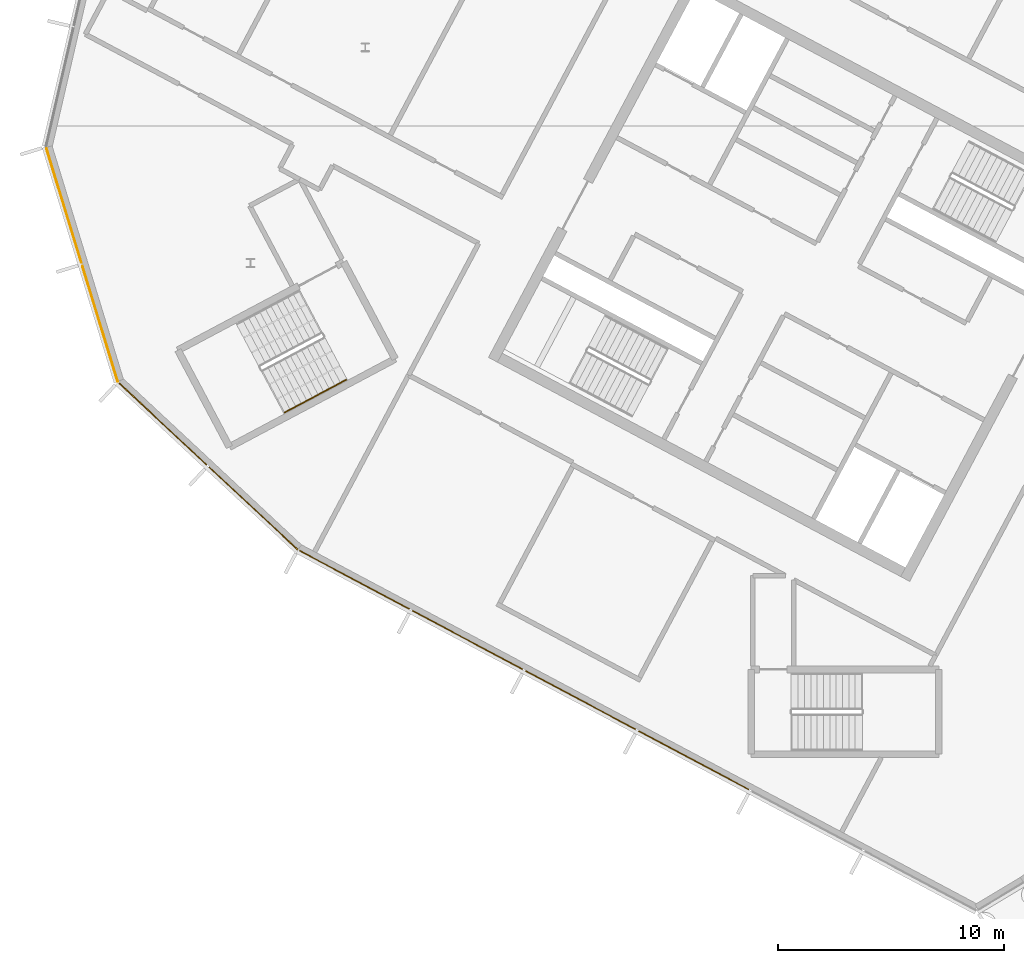
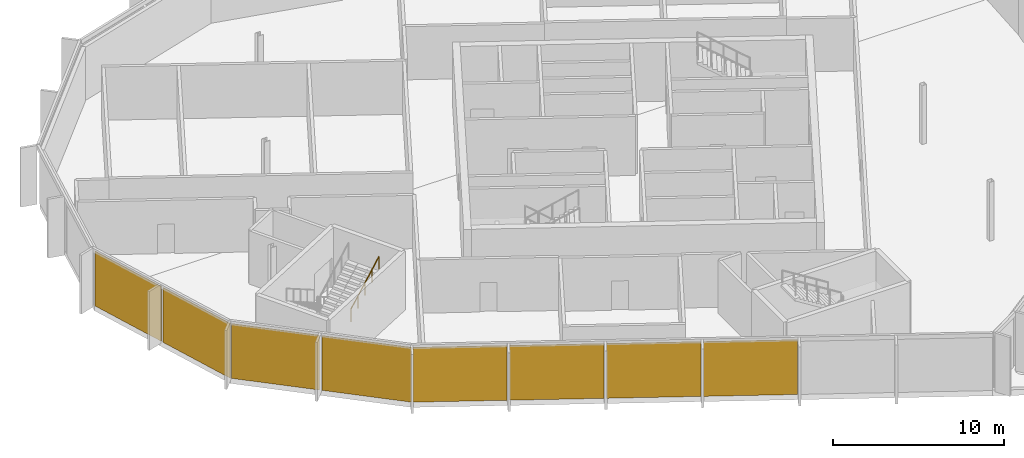
# One storey, part 10 of 16: 8 coverings, 1 railing, 3 elements without a shape of their own.
"""IFC4 building model written with IfcOpenShell, lengths in metres."""

from ifc_helpers import new_model, si_unit, direction, frame, origin, origin_2d, place, context, subcontext, project, spatial, polyline, rectangle, outline, extrude, material, layer, layer_set, type_object, element, aggregate, save


model = new_model("IFC4")

# Units and contexts
model_context = context("Model", 3, precision=1e-05, world=origin(), true_north=direction((0.0, 1.0)))
body_context = subcontext(model_context, "Body", "Model", "MODEL_VIEW")
ifc_project = project(units=[si_unit("LENGTHUNIT", "METRE"), si_unit("AREAUNIT", "SQUARE_METRE"), si_unit("VOLUMEUNIT", "CUBIC_METRE"), si_unit("PLANEANGLEUNIT", "RADIAN"), si_unit("MASSUNIT", "GRAM", prefix="KILO")], contexts=[model_context])

# Site, building, storey
site_placement = place(None, origin())
site = spatial("IfcSite", under=ifc_project, at=site_placement, CompositionType="ELEMENT")
building_placement = place(site_placement, origin())
building = spatial("IfcBuilding", under=site, at=building_placement, Name="Cormorant Relay Tower", CompositionType="ELEMENT")
storey_placement = place(building_placement, frame((0.0, 0.0, 340.800048828125)))
storey = spatial("IfcBuildingStorey", under=building, at=storey_placement, Name="C4", CompositionType="ELEMENT", Elevation=340.800048828125)

# Curtain wall, coverings
ifc_material_1 = material(Name="Aluminium 6063-T6 anodised bronze", Category="aluminium")
ifc_layer_1 = layer(ifc_material_1, 0.199951171875)
ifc_layer_set_1 = layer_set([ifc_layer_1], Name="CW3 crown screen wall")
curtain_wall_type = type_object("IfcCurtainWallType", Name="CW3 crown screen wall", PredefinedType="NOTDEFINED", material=ifc_layer_set_1)
curtain_wall_1_placement = place(storey_placement, origin())
curtain_wall_1 = element("IfcCurtainWall", 1, at=curtain_wall_1_placement, inside=storey, type_object=curtain_wall_type, Name="CW3 curtain wall 1", PredefinedType="NOTDEFINED")
ifc_material_2 = material(Name="Perforated bronze anodised aluminium screen", Category="aluminium")
ifc_layer_2 = layer(ifc_material_2, 0.0400390625)
ifc_layer_set_2 = layer_set([ifc_layer_2], Name="CW3 perforated bronze screen panel 40")
covering_type = type_object("IfcCoveringType", Name="CW3 perforated bronze screen panel 40", PredefinedType="CLADDING", material=ifc_layer_set_2)
covering_1_placement = place(storey_placement, frame((-47.10009765625, 1.23681640625, 0.0), z_axis=(0.0, 0.0, 1.0), x_axis=(0.882947592859, -0.469471562786, 0.0)))
covering_1 = element("IfcCovering", 2, at=covering_1_placement, type_object=covering_type, Name="CW3 panel X00", PredefinedType="CLADDING", context=body_context, shape_type="SweptSolid", body=[
    extrude(rectangle(XDim=5.51513671875, YDim=0.0400390625, at=origin_2d()), origin(), (0.0, 0.0, 1.0), 3.89990234375),
])
covering_2_placement = place(storey_placement, frame((-42.097900390625, -1.422607421875, 0.0), z_axis=(0.0, 0.0, 1.0), x_axis=(0.882947592859, -0.469471562786, 0.0)))
covering_2 = element("IfcCovering", 3, at=covering_2_placement, type_object=covering_type, Name="CW3 panel X01", PredefinedType="CLADDING", context=body_context, shape_type="SweptSolid", body=[
    extrude(rectangle(XDim=5.51513671875, YDim=0.0400390625, at=origin_2d()), origin(), (0.0, 0.0, 1.0), 3.89990234375),
])
covering_3_placement = place(storey_placement, frame((-37.095947265625, -4.082275390625, 0.0), z_axis=(0.0, 0.0, 1.0), x_axis=(0.882947592859, -0.469471562786, 0.0)))
covering_3 = element("IfcCovering", 4, at=covering_3_placement, type_object=covering_type, Name="CW3 panel X02", PredefinedType="CLADDING", context=body_context, shape_type="SweptSolid", body=[
    extrude(rectangle(XDim=5.51513671875, YDim=0.0400390625, at=origin_2d()), origin(), (0.0, 0.0, 1.0), 3.89990234375),
])
covering_4_placement = place(storey_placement, frame((-32.093994140625, -6.741943359375, 0.0), z_axis=(0.0, 0.0, 1.0), x_axis=(0.882947592859, -0.469471562786, 0.0)))
covering_4 = element("IfcCovering", 5, at=covering_4_placement, type_object=covering_type, Name="CW3 panel X03", PredefinedType="CLADDING", context=body_context, shape_type="SweptSolid", body=[
    extrude(rectangle(XDim=5.51513671875, YDim=0.0400390625, at=origin_2d()), origin(), (0.0, 0.0, 1.0), 3.89990234375),
])
aggregate(curtain_wall_1, [covering_1, covering_2, covering_3, covering_4])

curtain_wall_2_placement = place(storey_placement, origin())
curtain_wall_2 = element("IfcCurtainWall", 6, at=curtain_wall_2_placement, inside=storey, type_object=curtain_wall_type, Name="CW3 curtain wall 19", PredefinedType="NOTDEFINED")
covering_5_placement = place(storey_placement, frame((-59.9443359375, 17.78857421875, 0.0), z_axis=(0.0, 0.0, 1.0), x_axis=(0.292371704723, -0.956304755963, 0.0)))
covering_5 = element("IfcCovering", 7, at=covering_5_placement, type_object=covering_type, Name="CW3 panel X00", PredefinedType="CLADDING", context=body_context, shape_type="SweptSolid", body=[
    extrude(rectangle(XDim=5.28515625, YDim=0.0400390625, at=origin_2d()), origin(), (0.0, 0.0, 1.0), 3.89990234375),
])
covering_6_placement = place(storey_placement, frame((-58.344482421875, 12.55517578125, 0.0), z_axis=(0.0, 0.0, 1.0), x_axis=(0.292371704723, -0.956304755963, 0.0)))
covering_6 = element("IfcCovering", 8, at=covering_6_placement, type_object=covering_type, Name="CW3 panel X01", PredefinedType="CLADDING", context=body_context, shape_type="SweptSolid", body=[
    extrude(rectangle(XDim=5.360107421875, YDim=0.0400390625, at=origin_2d()), origin(), (0.0, 0.0, 1.0), 3.89990234375),
])
aggregate(curtain_wall_2, [covering_5, covering_6])

curtain_wall_3_placement = place(storey_placement, origin())
curtain_wall_3 = element("IfcCurtainWall", 9, at=curtain_wall_3_placement, inside=storey, type_object=curtain_wall_type, Name="CW3 curtain wall 20", PredefinedType="NOTDEFINED")
covering_7_placement = place(storey_placement, frame((-55.56787109375, 8.1298828125, 0.0), z_axis=(0.0, 0.0, 1.0), x_axis=(0.731353701619, -0.681998360062, 0.0)))
covering_7 = element("IfcCovering", 10, at=covering_7_placement, type_object=covering_type, Name="CW3 panel X00", PredefinedType="CLADDING", context=body_context, shape_type="SweptSolid", body=[
    extrude(rectangle(XDim=5.28515625, YDim=0.0400390625, at=origin_2d()), origin(), (0.0, 0.0, 1.0), 3.89990234375),
])
covering_8_placement = place(storey_placement, frame((-51.565185546875, 4.3974609375, 0.0), z_axis=(0.0, 0.0, 1.0), x_axis=(0.731353701619, -0.681998360062, 0.0)))
covering_8 = element("IfcCovering", 11, at=covering_8_placement, type_object=covering_type, Name="CW3 panel X01", PredefinedType="CLADDING", context=body_context, shape_type="SweptSolid", body=[
    extrude(rectangle(XDim=5.360107421875, YDim=0.0400390625, at=origin_2d()), origin(), (0.0, 0.0, 1.0), 3.89990234375),
])
aggregate(curtain_wall_3, [covering_7, covering_8])

# Railing
ifc_material_3 = material(Name="Steel ASTM A572 Grade 50 (Fy 345 MPa)", Category="steel")
railing_type = type_object("IfcRailingType", Name="Stair handrail 900", PredefinedType="HANDRAIL", material=ifc_material_3)
railing_placement = place(storey_placement, frame((-50.185546875, 8.634521484375, 2.27490234375)))
element("IfcRailing", 12, at=railing_placement, inside=storey, type_object=railing_type, Name="C4 RP1 stair handrail 2", PredefinedType="HANDRAIL", context=body_context, shape_type="SweptSolid", body=[
    extrude(outline(polyline([(0.022216796875, 0.00927734375), (0.00927734375, 0.022216796875), (-0.00927734375, 0.022216796875), (-0.022216796875, 0.00927734375), (-0.022216796875, -0.00927734375), (-0.00927734375, -0.022216796875), (0.00927734375, -0.022216796875), (0.022216796875, -0.00927734375), (0.022216796875, 0.00927734375)])), frame((0.0, 0.0, 0.8759765625), z_axis=(0.748727239859, 0.398124736663, 0.530003975787), x_axis=(-0.469489399267, 0.882938108802, 0.0)), (0.0, 0.0, 1.0), 3.632080078125),
    extrude(outline(polyline([(0.019287109375, 0.008056640625), (0.008056640625, 0.019287109375), (-0.008056640625, 0.019287109375), (-0.019287109375, 0.008056640625), (-0.019287109375, -0.008056640625), (-0.008056640625, -0.019287109375), (0.008056640625, -0.019287109375), (0.019287109375, -0.008056640625), (0.019287109375, 0.008056640625)])), origin(), (0.0, 0.0, 1.0), 0.851806640625),
    extrude(outline(polyline([(0.019287109375, 0.008056640625), (0.008056640625, 0.019287109375), (-0.008056640625, 0.019287109375), (-0.019287109375, 0.008056640625), (-0.019287109375, -0.008056640625), (-0.008056640625, -0.019287109375), (0.008056640625, -0.019287109375), (0.019287109375, -0.008056640625), (0.019287109375, 0.008056640625)])), frame((0.679931640625, 0.361572265625, 0.481201171875)), (0.0, 0.0, 1.0), 0.851806640625),
    extrude(outline(polyline([(0.019287109375, 0.008056640625), (0.008056640625, 0.019287109375), (-0.008056640625, 0.019287109375), (-0.019287109375, 0.008056640625), (-0.019287109375, -0.008056640625), (-0.008056640625, -0.019287109375), (0.008056640625, -0.019287109375), (0.019287109375, -0.008056640625), (0.019287109375, 0.008056640625)])), frame((1.35986328125, 0.72314453125, 0.96240234375)), (0.0, 0.0, 1.0), 0.851806640625),
    extrude(outline(polyline([(0.019287109375, 0.008056640625), (0.008056640625, 0.019287109375), (-0.008056640625, 0.019287109375), (-0.019287109375, 0.008056640625), (-0.019287109375, -0.008056640625), (-0.008056640625, -0.019287109375), (0.008056640625, -0.019287109375), (0.019287109375, -0.008056640625), (0.019287109375, 0.008056640625)])), frame((2.03955078125, 1.08447265625, 1.44384765625)), (0.0, 0.0, 1.0), 0.851806640625),
    extrude(outline(polyline([(0.019287109375, 0.008056640625), (0.008056640625, 0.019287109375), (-0.008056640625, 0.019287109375), (-0.019287109375, 0.008056640625), (-0.019287109375, -0.008056640625), (-0.008056640625, -0.019287109375), (0.008056640625, -0.019287109375), (0.019287109375, -0.008056640625), (0.019287109375, 0.008056640625)])), frame((2.719482421875, 1.446044921875, 1.925048828125)), (0.0, 0.0, 1.0), 0.851806640625),
])

save(model, "model.ifc")
